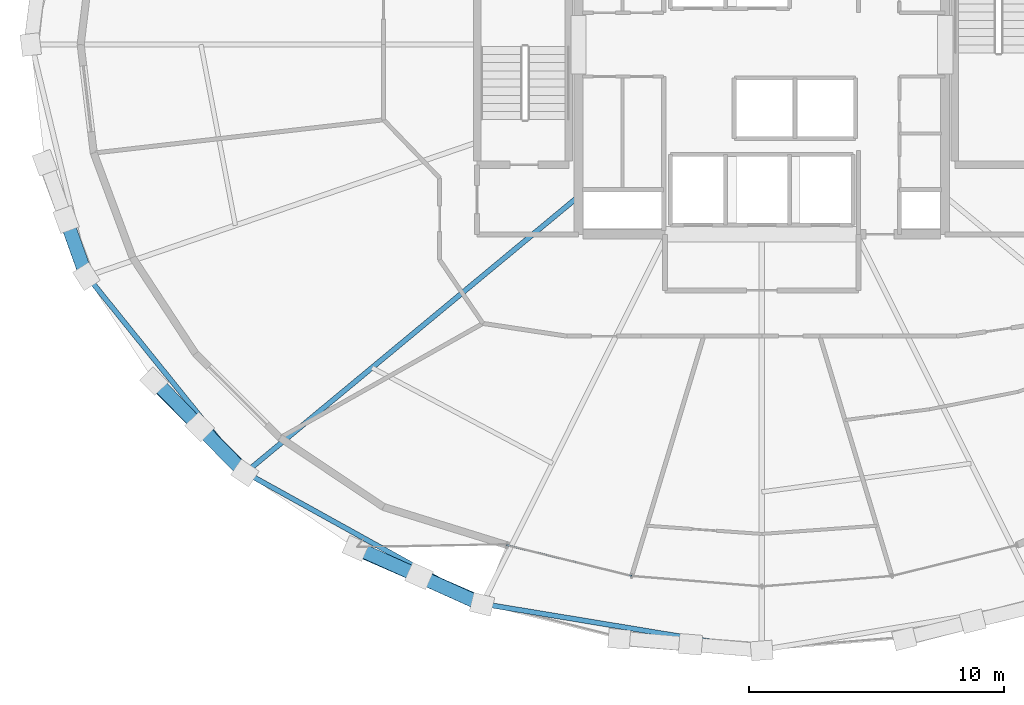
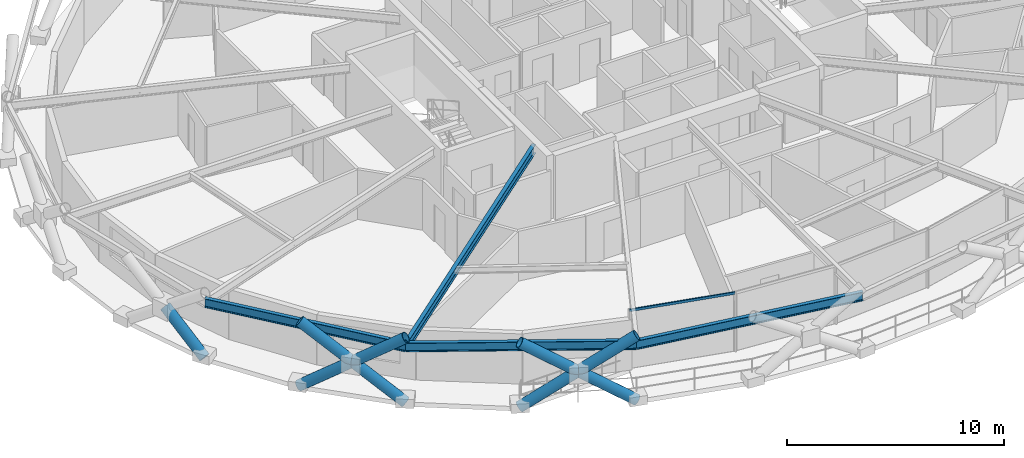
# One storey, part 1 of 20: 8 members, 4 beams, 1 element without a shape of its own.
"""IFC4 building model written with IfcOpenShell, lengths in metres."""

from ifc_helpers import new_model, si_unit, direction, frame, origin, origin_2d, place, context, subcontext, project, spatial, hollow_rectangle, hollow_circle, i_section, extrude, material, layer, layer_set, material_profile, profile_set, type_object, element, aggregate, save


model = new_model("IFC4")

# Units and contexts
model_context = context("Model", 3, precision=1e-05, world=origin(), true_north=direction((0.0, 1.0)))
body_context = subcontext(model_context, "Body", "Model", "MODEL_VIEW")
ifc_project = project(units=[si_unit("LENGTHUNIT", "METRE"), si_unit("AREAUNIT", "SQUARE_METRE"), si_unit("VOLUMEUNIT", "CUBIC_METRE"), si_unit("PLANEANGLEUNIT", "RADIAN"), si_unit("MASSUNIT", "GRAM", prefix="KILO")], contexts=[model_context])

# Site, building, storey
site_placement = place(None, origin())
site = spatial("IfcSite", under=ifc_project, at=site_placement, CompositionType="ELEMENT")
building_placement = place(site_placement, origin())
building = spatial("IfcBuilding", under=site, at=building_placement, Name="Veldorina Hangang Commons", CompositionType="ELEMENT")
storey_placement = place(building_placement, frame((0.0, 0.0, 117.199951171875)))
storey = spatial("IfcBuildingStorey", under=building, at=storey_placement, Name="L29", CompositionType="ELEMENT", Elevation=117.199951171875)

# Beams
ifc_material_1 = material(Name="Steel SM420-TMC", Category="steel")
ifc_material_profile_1 = material_profile(ifc_material_1, i_section(OverallWidth=0.199951171875, OverallDepth=0.5, WebThickness=0.010009765625, FlangeThickness=0.01611328125, FilletRadius=0.01611328125, at=origin_2d()), Name="H-500x200x10x16")
ifc_profile_set_1 = profile_set([ifc_material_profile_1], Name="Steel SM420-TMC")
beam_type_1 = type_object("IfcBeamType", Name="BM-FG500", PredefinedType="BEAM", material=ifc_profile_set_1)
beam_1_placement = place(storey_placement, frame((24.800048828125, 18.031005859375, 3.10009765625), z_axis=(-0.769841337757, -0.638235312937, 0.0), x_axis=(0.638235312937, -0.769841337757, 0.0)))
element("IfcBeam", 1, at=beam_1_placement, inside=storey, type_object=beam_type_1, Name="L29 radial floor girder 11", PredefinedType="BEAM", context=body_context, shape_type="SweptSolid", body=[
    extrude(i_section(OverallWidth=0.199951171875, OverallDepth=0.5, WebThickness=0.010009765625, FlangeThickness=0.01611328125, FilletRadius=0.01611328125, at=origin_2d()), origin(), (0.0, 0.0, 1.0), 16.9833984375),
])
ifc_material_profile_2 = material_profile(ifc_material_1, i_section(OverallWidth=0.199951171875, OverallDepth=0.5, WebThickness=0.010009765625, FlangeThickness=0.01611328125, FilletRadius=0.01611328125, at=origin_2d()), Name="H-500x200x10x16")
ifc_profile_set_2 = profile_set([ifc_material_profile_2], Name="Steel SM420-TMC")
beam_type_2 = type_object("IfcBeamType", Name="BM-RB500", PredefinedType="BEAM", material=ifc_profile_set_2)
beam_2_placement = place(storey_placement, frame((5.510009765625, 14.9033203125, 3.10009765625), z_axis=(0.627537549374, -0.778586298444, 0.0), x_axis=(0.778586298444, 0.627537549374, 0.0)))
element("IfcBeam", 2, at=beam_2_placement, inside=storey, type_object=beam_type_2, Name="L29 perimeter hoop ring beam 18", PredefinedType="BEAM", context=body_context, shape_type="SweptSolid", body=[
    extrude(i_section(OverallWidth=0.199951171875, OverallDepth=0.5, WebThickness=0.010009765625, FlangeThickness=0.01611328125, FilletRadius=0.01611328125, at=origin_2d()), origin(), (0.0, 0.0, 1.0), 9.90478515625),
])
beam_3_placement = place(storey_placement, frame((11.7255859375, 7.191650390625, 3.10009765625), z_axis=(0.874753328525, -0.484568482503, 0.0), x_axis=(0.484568482503, 0.874753328525, 0.0)))
element("IfcBeam", 3, at=beam_3_placement, inside=storey, type_object=beam_type_2, Name="L29 perimeter hoop ring beam 20", PredefinedType="BEAM", context=body_context, shape_type="SweptSolid", body=[
    extrude(i_section(OverallWidth=0.199951171875, OverallDepth=0.5, WebThickness=0.010009765625, FlangeThickness=0.01611328125, FilletRadius=0.01611328125, at=origin_2d()), origin(), (0.0, 0.0, 1.0), 10.6337890625),
])
beam_4_placement = place(storey_placement, frame((21.027587890625, 2.038818359375, 3.10009765625), z_axis=(0.986671965212, -0.162721950162, 0.0), x_axis=(0.162721950162, 0.986671965212, 0.0)))
element("IfcBeam", 4, at=beam_4_placement, inside=storey, type_object=beam_type_2, Name="L29 perimeter hoop ring beam 22", PredefinedType="BEAM", context=body_context, shape_type="SweptSolid", body=[
    extrude(i_section(OverallWidth=0.199951171875, OverallDepth=0.5, WebThickness=0.010009765625, FlangeThickness=0.01611328125, FilletRadius=0.01611328125, at=origin_2d()), origin(), (0.0, 0.0, 1.0), 11.12060546875),
])

# Curtain wall, member
ifc_material_2 = material(Name="Glass Low-E Triple IGU", Category="glass")
ifc_layer = layer(ifc_material_2, 0.179931640625)
ifc_layer_set = layer_set([ifc_layer], Name="Glass Low-E Triple IGU")
curtain_wall_type = type_object("IfcCurtainWallType", Name="CW-SYS-Z2", PredefinedType="NOTDEFINED", material=ifc_layer_set)
curtain_wall_placement = place(storey_placement, origin())
curtain_wall = element("IfcCurtainWall", 5, at=curtain_wall_placement, inside=storey, type_object=curtain_wall_type, Name="L29 unitised curtain wall CW-L29-R1", PredefinedType="NOTDEFINED")
ifc_material_3 = material(Name="Aluminium Anodized AA6063-T6", Category="aluminium")
ifc_material_profile_3 = material_profile(ifc_material_3, hollow_rectangle(XDim=0.06005859375, YDim=0.139892578125, WallThickness=0.00341796875, at=origin_2d()), Name="ALU-RHS-140x60x3.5")
ifc_profile_set_3 = profile_set([ifc_material_profile_3], Name="Aluminium Anodized AA6063-T6")
member_type_1 = type_object("IfcMemberType", Name="CW-TRN-140", PredefinedType="USERDEFINED", material=ifc_profile_set_3)
member_1_placement = place(storey_placement, frame((21.97900390625, 4.3447265625, 3.27001953125), z_axis=(0.97095730122, -0.239252835319, 0.0), x_axis=(0.239252835319, 0.97095730122, 0.0)))
member_1 = element("IfcMember", 6, at=member_1_placement, type_object=member_type_1, Name="CW-L29-R1 facet 1 transom 1", ObjectType="TRANSOM", PredefinedType="USERDEFINED", context=body_context, shape_type="SweptSolid", body=[
    extrude(hollow_rectangle(XDim=0.06005859375, YDim=0.139892578125, WallThickness=0.00341796875, at=origin_2d()), origin(), (0.0, 0.0, 1.0), 5.059326171875),
])
aggregate(curtain_wall, [member_1])

# Members
ifc_material_profile_4 = material_profile(ifc_material_1, hollow_circle(Radius=0.27490234375, WallThickness=0.028076171875, at=origin_2d()), Name="CHS-550x28")
ifc_profile_set_4 = profile_set([ifc_material_profile_4], Name="Steel SM420-TMC")
member_type_2 = type_object("IfcMemberType", Name="DG-CHS550", PredefinedType="BRACE", material=ifc_profile_set_4)
member_2_placement = place(storey_placement, frame((5.478759765625, 14.894287109375, 0.0), z_axis=(-0.267832176718, 0.750241432304, 0.604486326039), x_axis=(-0.941786114465, -0.336212603275, 0.0)))
element("IfcMember", 7, at=member_2_placement, inside=storey, type_object=member_type_2, Name="L29 split perimeter diagrid lower brace 18", PredefinedType="BRACE", context=body_context, shape_type="SweptSolid", body=[
    extrude(hollow_circle(Radius=0.27490234375, WallThickness=0.028076171875, at=origin_2d()), origin(), (0.0, 0.0, 1.0), 2.979736328125),
])
member_3_placement = place(storey_placement, frame((8.13134765625, 10.780517578125, 0.0), z_axis=(0.57788530156, -0.575963983893, 0.578198986077), x_axis=(0.705928372541, 0.708283229254, 0.0)))
element("IfcMember", 8, at=member_3_placement, inside=storey, type_object=member_type_2, Name="L29 continuous perimeter diagrid brace 19", PredefinedType="BRACE", context=body_context, shape_type="SweptSolid", body=[
    extrude(hollow_circle(Radius=0.27490234375, WallThickness=0.028076171875, at=origin_2d()), origin(), (0.0, 0.0, 1.0), 6.226318359375),
])
member_4_placement = place(storey_placement, frame((11.701416015625, 7.1748046875, 0.0), z_axis=(-0.569545340368, 0.582821638647, 0.57960076155), x_axis=(-0.715205820325, -0.698913896395, 0.0)))
element("IfcMember", 9, at=member_4_placement, inside=storey, type_object=member_type_2, Name="L29 split perimeter diagrid lower brace 20", PredefinedType="BRACE", context=body_context, shape_type="SweptSolid", body=[
    extrude(hollow_circle(Radius=0.27490234375, WallThickness=0.028076171875, at=origin_2d()), origin(), (0.0, 0.0, 1.0), 3.107666015625),
])
member_5_placement = place(storey_placement, frame((9.931396484375, 8.986083984375, 1.80126953125), z_axis=(-0.569323910188, 0.583088995057, 0.579549401805), x_axis=(-0.715501833147, -0.698610855028, 0.0)))
element("IfcMember", 10, at=member_5_placement, inside=storey, type_object=member_type_2, Name="L29 split perimeter diagrid upper brace 20", PredefinedType="BRACE", context=body_context, shape_type="SweptSolid", body=[
    extrude(hollow_circle(Radius=0.27490234375, WallThickness=0.028076171875, at=origin_2d()), origin(), (0.0, 0.0, 1.0), 3.103759765625),
])
member_6_placement = place(storey_placement, frame((16.051513671875, 4.215576171875, 0.0), z_axis=(0.763910363109, -0.333512999137, 0.552458176283), x_axis=(0.40011607299, 0.916464471834, 0.0)))
element("IfcMember", 11, at=member_6_placement, inside=storey, type_object=member_type_2, Name="L29 continuous perimeter diagrid brace 21", PredefinedType="BRACE", context=body_context, shape_type="SweptSolid", body=[
    extrude(hollow_circle(Radius=0.27490234375, WallThickness=0.028076171875, at=origin_2d()), origin(), (0.0, 0.0, 1.0), 6.5166015625),
])
member_7_placement = place(storey_placement, frame((21.014404296875, 2.0166015625, 0.0), z_axis=(-0.759614968066, 0.341549175351, 0.553470198933), x_axis=(-0.410087520721, -0.912046175009, 0.0)))
element("IfcMember", 12, at=member_7_placement, inside=storey, type_object=member_type_2, Name="L29 split perimeter diagrid lower brace 22", PredefinedType="BRACE", context=body_context, shape_type="SweptSolid", body=[
    extrude(hollow_circle(Radius=0.27490234375, WallThickness=0.028076171875, at=origin_2d()), origin(), (0.0, 0.0, 1.0), 3.25439453125),
])
member_8_placement = place(storey_placement, frame((18.542236328125, 3.128173828125, 1.80126953125), z_axis=(-0.759583391883, 0.341632245479, 0.553462265763), x_axis=(-0.410184664106, -0.912002489762, 0.0)))
element("IfcMember", 13, at=member_8_placement, inside=storey, type_object=member_type_2, Name="L29 split perimeter diagrid upper brace 22", PredefinedType="BRACE", context=body_context, shape_type="SweptSolid", body=[
    extrude(hollow_circle(Radius=0.27490234375, WallThickness=0.028076171875, at=origin_2d()), origin(), (0.0, 0.0, 1.0), 3.250244140625),
])

save(model, "model.ifc")
